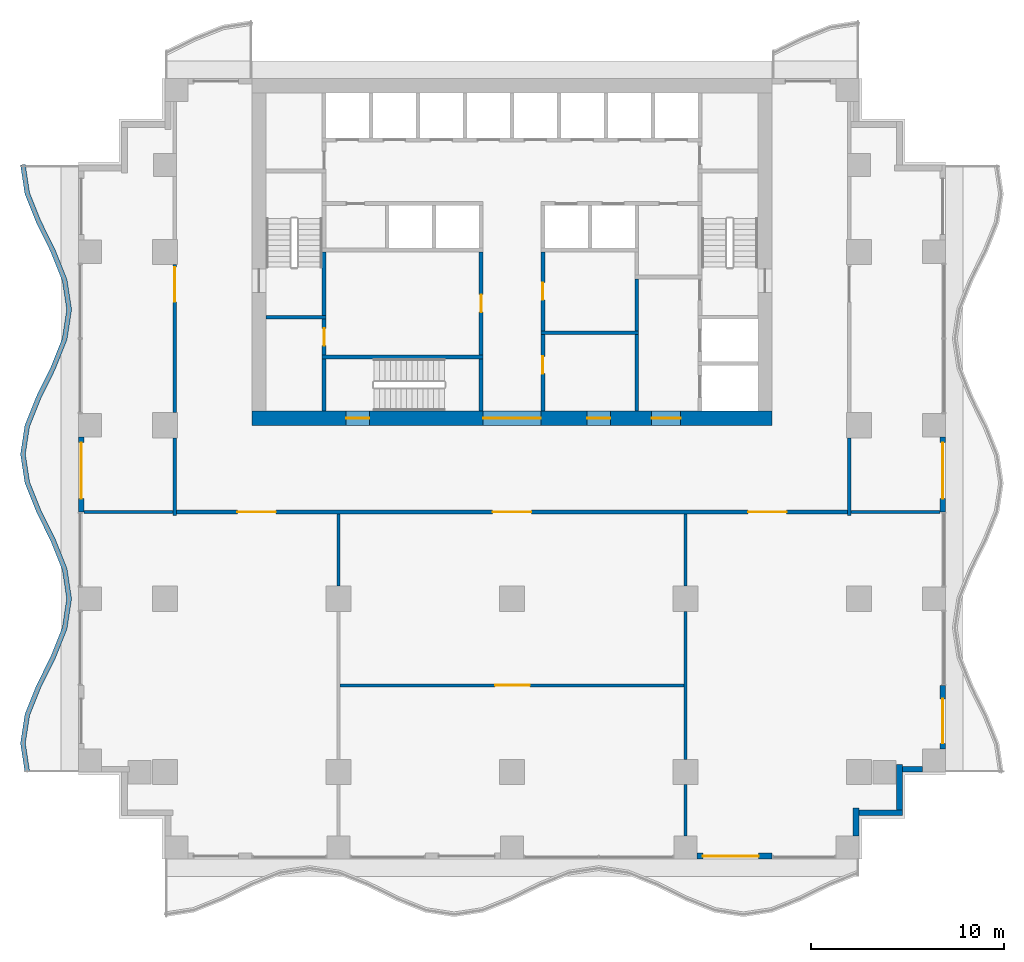
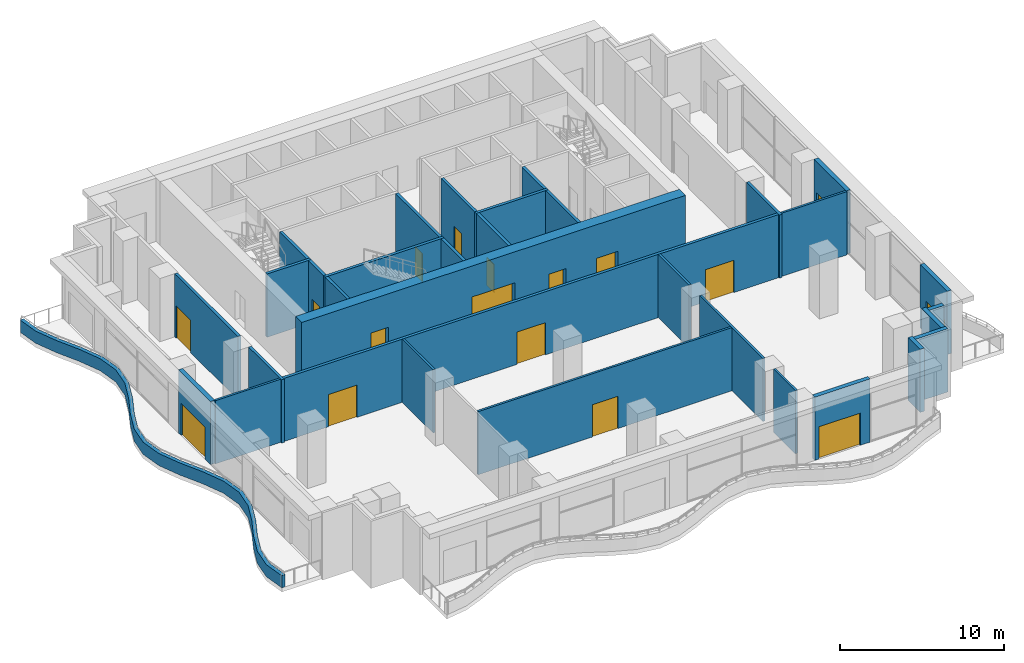
# One storey, part 8 of 14: 33 walls, 17 doors, 17 openings.
"""IFC4 building model written with IfcOpenShell, lengths in metres."""

import ifcopenshell
import ifcopenshell.guid

model = None  # the IFC model being written
_history = None  # IfcOwnerHistory: only IFC2X3 demands one
_inside = {}  # id of a spatial element -> (the spatial element, [elements in it])
_under = {}  # id of a project, library or spatial element -> (it, [spatial elements below it])
_declared = {}  # id of a project -> (the project, [libraries it declares])
_typed = {}  # id of a type object -> (the type object, [elements of that type])
_made_of = {}  # id of a material, layer set ... -> (it, [elements and type objects made of it])


def new_model(schema):
    """Start an empty IFC model of exactly this schema.

    Asked for "IFC4X3", IfcOpenShell would pick the latest addendum, in which some entities
    have other attributes; the version numbers below select the first issue.
    IFC2X3 requires an IfcOwnerHistory on every rooted entity: one is made here for all.
    """
    global model, _history
    if schema == "IFC4X3":
        model = ifcopenshell.file(schema_version=(4, 3, 0, 0))
    else:
        model = ifcopenshell.file(schema=schema)
    _inside.clear()
    _under.clear()
    _declared.clear()
    _typed.clear()
    _made_of.clear()
    _history = None
    if model.schema == "IFC2X3":
        org = make("IfcOrganization", Name="unknown")
        user = make(
            "IfcPersonAndOrganization",
            ThePerson=make("IfcPerson", FamilyName="unknown"),
            TheOrganization=org,
        )
        app = make(
            "IfcApplication",
            ApplicationDeveloper=org,
            Version="unknown",
            ApplicationFullName="unknown",
            ApplicationIdentifier="unknown",
        )
        _history = make(
            "IfcOwnerHistory",
            OwningUser=user,
            OwningApplication=app,
            ChangeAction="ADDED",
            CreationDate=0,
        )
    return model


def make(cls, **values):
    """One entity of the class cls with the attributes given. An attribute that is None is left unset."""
    return model.create_entity(
        cls, **{name: value for name, value in values.items() if value is not None}
    )


def rooted(cls, **values):
    """An entity with a GlobalId (a new one), such as an element, a storey or a relation."""
    return make(cls, GlobalId=ifcopenshell.guid.new(), OwnerHistory=_history, **values)


def si_unit(unit_type, name, prefix=None):
    """IfcSIUnit, for example si_unit("LENGTHUNIT", "METRE", prefix="MILLI")."""
    return make("IfcSIUnit", UnitType=unit_type, Prefix=prefix, Name=name)


def assignment(units):
    """IfcUnitAssignment: the units of a project."""
    return None if units is None else make("IfcUnitAssignment", Units=units)


def point(xyz):
    """IfcCartesianPoint."""
    return None if xyz is None else make("IfcCartesianPoint", Coordinates=xyz)


def direction(xyz):
    """IfcDirection."""
    return None if xyz is None else make("IfcDirection", DirectionRatios=xyz)


def frame(location, z_axis=None, x_axis=None):
    """IfcAxis2Placement3D, a coordinate frame: its origin and axes. An axis left out is left unset."""
    return make(
        "IfcAxis2Placement3D",
        Location=point(location),
        Axis=direction(z_axis),
        RefDirection=direction(x_axis),
    )


def frame_2d(location, x_axis=None):
    """IfcAxis2Placement2D, a coordinate frame in the plane: its origin and x axis."""
    return make(
        "IfcAxis2Placement2D", Location=point(location), RefDirection=direction(x_axis)
    )


def origin():
    """The frame at (0, 0, 0) with its axes left unset."""
    return frame((0.0, 0.0, 0.0))


def place(relative_to, where):
    """IfcLocalPlacement: puts the frame where relative to a parent placement (None: the world)."""
    return make(
        "IfcLocalPlacement", PlacementRelTo=relative_to, RelativePlacement=where
    )


def context(
    kind, dimensions, precision=None, world=None, true_north=None, identifier=None
):
    """IfcGeometricRepresentationContext, for example the 3D "Model" context."""
    return make(
        "IfcGeometricRepresentationContext",
        ContextIdentifier=identifier,
        ContextType=kind,
        CoordinateSpaceDimension=dimensions,
        Precision=precision,
        WorldCoordinateSystem=world,
        TrueNorth=true_north,
    )


def subcontext(parent, identifier, kind, view, scale=None):
    """IfcGeometricRepresentationSubContext, for example "Body" below "Model"."""
    return make(
        "IfcGeometricRepresentationSubContext",
        ContextIdentifier=identifier,
        ContextType=kind,
        ParentContext=parent,
        TargetScale=scale,
        TargetView=view,
    )


def project(units=None, contexts=None):
    """IfcProject with its units and contexts."""
    return rooted(
        "IfcProject",
        Name="project",
        RepresentationContexts=contexts,
        UnitsInContext=assignment(units),
    )


def spatial(cls, under=None, at=None, **own):
    """A site, building, storey or space (cls), placed at a placement, below another one or the project."""
    s = rooted(cls, ObjectPlacement=at, **own)
    if under is not None:
        _under.setdefault(under.id(), (under, []))[1].append(s)
    return s


def polyline(points):
    """IfcPolyline through the points."""
    return make("IfcPolyline", Points=[point(p) for p in points])


def profile(cls, at=None, kind="AREA", **sizes):
    """A parametric profile (cls). Its sizes go by their IFC names, for example OverallWidth=200.0."""
    return make(cls, ProfileType=kind, Position=at, **sizes)


def rectangle(**sizes):
    """IfcRectangleProfileDef."""
    return profile("IfcRectangleProfileDef", **sizes)


def outline(outer, holes=None, kind="AREA"):
    """IfcArbitraryClosedProfileDef: a profile drawn as a closed curve; with holes, ...WithVoids."""
    if holes is None:
        return make("IfcArbitraryClosedProfileDef", ProfileType=kind, OuterCurve=outer)
    return make(
        "IfcArbitraryProfileDefWithVoids",
        ProfileType=kind,
        OuterCurve=outer,
        InnerCurves=holes,
    )


def extrude(swept, where, along, depth):
    """IfcExtrudedAreaSolid: the profile swept, set in the frame where, extruded along a direction by depth."""
    return make(
        "IfcExtrudedAreaSolid",
        SweptArea=swept,
        Position=where,
        ExtrudedDirection=direction(along),
        Depth=depth,
    )


def shape(context_of_items, identifier, shape_type, items):
    """IfcShapeRepresentation: the items that make up one representation, for example the "Body"."""
    return make(
        "IfcShapeRepresentation",
        ContextOfItems=context_of_items,
        RepresentationIdentifier=identifier,
        RepresentationType=shape_type,
        Items=items,
    )


def material(Name=None, Category=None):
    """IfcMaterial."""
    return make("IfcMaterial", Name=Name, Category=Category)


def layer(
    of_material, thickness, ventilated=None, Name=None, Category=None, Priority=None
):
    """IfcMaterialLayer: one layer of a wall or slab, of a material (None: an air gap)."""
    return make(
        "IfcMaterialLayer",
        Material=of_material,
        LayerThickness=thickness,
        IsVentilated=ventilated,
        Name=Name,
        Category=Category,
        Priority=Priority,
    )


def layer_set(layers, Name=None):
    """IfcMaterialLayerSet."""
    return make("IfcMaterialLayerSet", MaterialLayers=layers, LayerSetName=Name)


def made_of(thing, what):
    """Note that an element or type object is made of a material, layer set ...; save() writes the relation."""
    if what is not None:
        _made_of.setdefault(what.id(), (what, []))[1].append(thing)
    return thing


def type_object(cls, material=None, **own):
    """A type object (cls), such as IfcWallType, which elements share."""
    return made_of(rooted(cls, **own), material)


def element(
    cls,
    number,
    at=None,
    inside=None,
    cuts=None,
    type_object=None,
    material=None,
    context=None,
    identifier="Body",
    shape_type=None,
    held_by="IfcProductDefinitionShape",
    body=None,
    shapes=None,
    **own,
):
    """One element of the class cls, such as IfcWall. Its Tag is "e" and its number.

    at: its placement. inside: the storey or other place that contains it. cuts: it is an
    opening in that element (IfcRelVoidsElement). A single representation is given by context,
    identifier, shape_type and body (its items); several are given by shapes. held_by: the class
    of the entity that holds the representations. save() writes the other relations.
    """
    e = rooted(cls, Tag="e%d" % number, ObjectPlacement=at, **own)
    if body is not None:
        shapes = [shape(context, identifier, shape_type, body)]
    if shapes is not None:
        e.Representation = make(held_by, Representations=shapes)
    if inside is not None:
        _inside.setdefault(inside.id(), (inside, []))[1].append(e)
    if cuts is not None:
        rooted(
            "IfcRelVoidsElement", RelatingBuildingElement=cuts, RelatedOpeningElement=e
        )
    if type_object is not None:
        _typed.setdefault(type_object.id(), (type_object, []))[1].append(e)
    return made_of(e, material)


def fill(opening, filler):
    """IfcRelFillsElement: the door or window that sits in an opening."""
    return rooted(
        "IfcRelFillsElement",
        RelatingOpeningElement=opening,
        RelatedBuildingElement=filler,
    )


def aggregate(whole, parts):
    """IfcRelAggregates: a whole, such as a stair, and the parts it consists of."""
    return rooted("IfcRelAggregates", RelatingObject=whole, RelatedObjects=parts)


def save(model, path):
    """Write the relations noted so far, then the file.

    IfcRelAggregates (storeys below a building ...), IfcRelContainedInSpatialStructure (elements
    in a storey), IfcRelDefinesByType, IfcRelAssociatesMaterial and IfcRelDeclares: one each for
    every whole, place, type object, material and project.
    """
    for whole, parts in _under.values():
        aggregate(whole, parts)
    for where, things in _inside.values():
        rooted(
            "IfcRelContainedInSpatialStructure",
            RelatedElements=things,
            RelatingStructure=where,
        )
    for kind, things in _typed.values():
        rooted("IfcRelDefinesByType", RelatedObjects=things, RelatingType=kind)
    for what, things in _made_of.values():
        rooted("IfcRelAssociatesMaterial", RelatedObjects=things, RelatingMaterial=what)
    for by, libraries in _declared.values():
        rooted("IfcRelDeclares", RelatingContext=by, RelatedDefinitions=libraries)
    model.write(path)


model = new_model("IFC4")

# Units and contexts
model_context = context("Model", 3, precision=1e-05, world=origin(), true_north=direction((0.0, 1.0)))
body_context = subcontext(model_context, "Body", "Model", "MODEL_VIEW")
ifc_project = project(units=[si_unit("LENGTHUNIT", "METRE"), si_unit("AREAUNIT", "SQUARE_METRE"), si_unit("VOLUMEUNIT", "CUBIC_METRE"), si_unit("PLANEANGLEUNIT", "RADIAN"), si_unit("MASSUNIT", "GRAM", prefix="KILO")], contexts=[model_context])

# Site, building, storey
site_placement = place(None, origin())
site = spatial("IfcSite", under=ifc_project, at=site_placement, CompositionType="ELEMENT")
building_placement = place(site_placement, origin())
building = spatial("IfcBuilding", under=site, at=building_placement, Name="Orbiselva Terraces", CompositionType="ELEMENT")
storey_placement = place(building_placement, frame((0.0, 0.0, 120.0)))
storey = spatial("IfcBuildingStorey", under=building, at=storey_placement, Name="L30", CompositionType="ELEMENT", Elevation=120.0)

# Wall, openings, doors
ifc_material_1 = material(Name="Concrete C80/95", Category="concrete")
ifc_layer_1 = layer(ifc_material_1, 0.75)
ifc_layer_set_1 = layer_set([ifc_layer_1], Name="Concrete C80/95")
wall_type_1 = type_object("IfcWallType", Name="CORE WALL 750", PredefinedType="SHEAR", material=ifc_layer_set_1)
wall_1_placement = place(storey_placement, frame((-13.5, 4.875, -0.3), z_axis=(0.0, 0.0, 1.0), x_axis=(1.0, 0.0, 0.0)))
wall_1 = element("IfcWall", 1, at=wall_1_placement, inside=storey, type_object=wall_type_1, Name="Core wall L30 south", PredefinedType="SHEAR", context=body_context, shape_type="SweptSolid", body=[
    extrude(rectangle(XDim=27.0, YDim=0.75, at=frame_2d((13.5, 0.0))), origin(), (0.0, 0.0, 1.0), 5.0),
])
opening_1_placement = place(wall_1_placement, frame((12.0, 0.0, 0.3)))
opening_1 = element("IfcOpeningElement", 2, at=opening_1_placement, cuts=wall_1, Name="Opening DL3000", PredefinedType="OPENING", context=body_context, shape_type="SweptSolid", body=[
    extrude(rectangle(XDim=3.0, YDim=2.4, at=frame_2d((1.5, 1.2))), frame((0.0, 0.385, 0.0), z_axis=(0.0, -1.0, 0.0), x_axis=(1.0, 0.0, 0.0)), (0.0, 0.0, 1.0), 0.77),
])
opening_2_placement = place(wall_1_placement, frame((4.9, 0.0, 0.3)))
opening_2 = element("IfcOpeningElement", 3, at=opening_2_placement, cuts=wall_1, Name="Opening DS1200", PredefinedType="OPENING", context=body_context, shape_type="SweptSolid", body=[
    extrude(rectangle(XDim=1.2, YDim=2.2, at=frame_2d((0.6, 1.1))), frame((0.0, 0.385, 0.0), z_axis=(0.0, -1.0, 0.0), x_axis=(1.0, 0.0, 0.0)), (0.0, 0.0, 1.0), 0.77),
])
opening_3_placement = place(wall_1_placement, frame((20.75, 0.0, 0.3)))
opening_3 = element("IfcOpeningElement", 4, at=opening_3_placement, cuts=wall_1, Name="Opening DF1500", PredefinedType="OPENING", context=body_context, shape_type="SweptSolid", body=[
    extrude(rectangle(XDim=1.5, YDim=2.2, at=frame_2d((0.75, 1.1))), frame((0.0, 0.385, 0.0), z_axis=(0.0, -1.0, 0.0), x_axis=(1.0, 0.0, 0.0)), (0.0, 0.0, 1.0), 0.77),
])
opening_4_placement = place(wall_1_placement, frame((17.4, 0.0, 0.3)))
opening_4 = element("IfcOpeningElement", 5, at=opening_4_placement, cuts=wall_1, Name="Opening DV1200", PredefinedType="OPENING", context=body_context, shape_type="SweptSolid", body=[
    extrude(rectangle(XDim=1.2, YDim=2.2, at=frame_2d((0.6, 1.1))), frame((0.0, 0.385, 0.0), z_axis=(0.0, -1.0, 0.0), x_axis=(1.0, 0.0, 0.0)), (0.0, 0.0, 1.0), 0.77),
])
ifc_material_2 = material(Name="Steel fire door", Category="steel")
door_type_1 = type_object("IfcDoorType", Name="FFL DOOR 1500", OperationType="DOUBLE_DOOR_SINGLE_SWING", PredefinedType="DOOR", material=ifc_material_2)
door_1_placement = place(opening_3_placement, frame((1.5, 0.0, 0.0), z_axis=(0.0, 0.0, 1.0), x_axis=(-1.0, 0.0, 0.0)))
door_1 = element("IfcDoor", 6, at=door_1_placement, inside=storey, type_object=door_type_1, Name="L30 FIRE-FIGHTING LOBBY door", OperationType="DOUBLE_DOOR_SINGLE_SWING", OverallHeight=2.2, OverallWidth=1.5, PredefinedType="DOOR", context=body_context, shape_type="SweptSolid", body=[
    extrude(rectangle(XDim=1.5, YDim=2.2, at=frame_2d((0.75, 1.1))), frame((0.0, 0.025, 0.0), z_axis=(0.0, -1.0, 0.0), x_axis=(1.0, 0.0, 0.0)), (0.0, 0.0, 1.0), 0.05),
])
fill(opening_3, door_1)
door_type_2 = type_object("IfcDoorType", Name="LOBBY DOOR 3000", OperationType="DOUBLE_DOOR_SINGLE_SWING", PredefinedType="DOOR", material=ifc_material_2)
door_2_placement = place(opening_1_placement, frame((3.0, 0.0, 0.0), z_axis=(0.0, 0.0, 1.0), x_axis=(-1.0, 0.0, 0.0)))
door_2 = element("IfcDoor", 7, at=door_2_placement, inside=storey, type_object=door_type_2, Name="L30 LIFT LOBBY door", OperationType="DOUBLE_DOOR_SINGLE_SWING", OverallHeight=2.4, OverallWidth=3.0, PredefinedType="DOOR", context=body_context, shape_type="SweptSolid", body=[
    extrude(rectangle(XDim=3.0, YDim=2.4, at=frame_2d((1.5, 1.2))), frame((0.0, 0.025, 0.0), z_axis=(0.0, -1.0, 0.0), x_axis=(1.0, 0.0, 0.0)), (0.0, 0.0, 1.0), 0.05),
])
fill(opening_1, door_2)
door_type_3 = type_object("IfcDoorType", Name="SERVICE DOOR 1200", OperationType="NOTDEFINED", PredefinedType="DOOR", material=ifc_material_2)
door_3_placement = place(opening_4_placement, frame((1.2, 0.0, 0.0), z_axis=(0.0, 0.0, 1.0), x_axis=(-1.0, 0.0, 0.0)))
door_3 = element("IfcDoor", 8, at=door_3_placement, inside=storey, type_object=door_type_3, Name="L30 ELECTRICAL ROOM door", OperationType="SINGLE_SWING_RIGHT", OverallHeight=2.2, OverallWidth=1.2, PredefinedType="DOOR", context=body_context, shape_type="SweptSolid", body=[
    extrude(rectangle(XDim=1.2, YDim=2.2, at=frame_2d((0.6, 1.1))), frame((0.0, 0.025, 0.0), z_axis=(0.0, -1.0, 0.0), x_axis=(1.0, 0.0, 0.0)), (0.0, 0.0, 1.0), 0.05),
])
fill(opening_4, door_3)
door_type_4 = type_object("IfcDoorType", Name="STAIR DOOR 1200", OperationType="NOTDEFINED", PredefinedType="DOOR", material=ifc_material_2)
door_4_placement = place(opening_2_placement, frame((1.2, 0.0, 0.0), z_axis=(0.0, 0.0, 1.0), x_axis=(-1.0, 0.0, 0.0)))
door_4 = element("IfcDoor", 9, at=door_4_placement, inside=storey, type_object=door_type_4, Name="L30 EXIT STAIR S3 door", OperationType="SINGLE_SWING_LEFT", OverallHeight=2.2, OverallWidth=1.2, PredefinedType="DOOR", context=body_context, shape_type="SweptSolid", body=[
    extrude(rectangle(XDim=1.2, YDim=2.2, at=frame_2d((0.6, 1.1))), frame((0.0, 0.025, 0.0), z_axis=(0.0, -1.0, 0.0), x_axis=(1.0, 0.0, 0.0)), (0.0, 0.0, 1.0), 0.05),
])
fill(opening_2, door_4)

# Wall, opening, door
ifc_material_3 = material(Name="Masonry blockwork", Category="masonry")
ifc_layer_2 = layer(ifc_material_3, 0.2)
ifc_layer_set_2 = layer_set([ifc_layer_2], Name="Masonry blockwork")
wall_type_2 = type_object("IfcWallType", Name="CORE-WALL-PARTITION-200", PredefinedType="PARTITIONING", material=ifc_layer_set_2)
wall_2_placement = place(storey_placement, frame((-9.75, 8.15, 0.0), z_axis=(0.0, 0.0, 1.0), x_axis=(0.0, 1.0, 0.0)))
wall_2 = element("IfcWall", 10, at=wall_2_placement, inside=storey, type_object=wall_type_2, Name="L30 core wall 05", PredefinedType="PARTITIONING", context=body_context, shape_type="SweptSolid", body=[
    extrude(rectangle(XDim=1.85, YDim=0.2, at=frame_2d((0.925, 0.0))), origin(), (0.0, 0.0, 1.0), 4.7),
])
opening_5_placement = place(wall_2_placement, frame((0.475, 0.0, 0.0)))
opening_5 = element("IfcOpeningElement", 11, at=opening_5_placement, cuts=wall_2, Name="Opening DR900", PredefinedType="OPENING", context=body_context, shape_type="SweptSolid", body=[
    extrude(rectangle(XDim=0.9, YDim=2.1, at=frame_2d((0.45, 1.05))), frame((0.0, 0.11, 0.0), z_axis=(0.0, -1.0, 0.0), x_axis=(1.0, 0.0, 0.0)), (0.0, 0.0, 1.0), 0.22),
])
door_type_5 = type_object("IfcDoorType", Name="ROOM DOOR 900", OperationType="NOTDEFINED", PredefinedType="DOOR", material=ifc_material_2)
door_5_placement = place(opening_5_placement, origin())
door_5 = element("IfcDoor", 12, at=door_5_placement, inside=storey, type_object=door_type_5, Name="L30 ACCESSIBLE WC door", OperationType="SINGLE_SWING_RIGHT", OverallHeight=2.1, OverallWidth=0.9, PredefinedType="DOOR", context=body_context, shape_type="SweptSolid", body=[
    extrude(rectangle(XDim=0.9, YDim=2.1, at=frame_2d((0.45, 1.05))), frame((0.0, 0.025, 0.0), z_axis=(0.0, -1.0, 0.0), x_axis=(1.0, 0.0, 0.0)), (0.0, 0.0, 1.0), 0.05),
])
fill(opening_5, door_5)

# Walls
ifc_material_4 = material(Name="Concrete C60/75", Category="concrete")
ifc_layer_3 = layer(ifc_material_4, 0.2)
ifc_layer_set_3 = layer_set([ifc_layer_3], Name="Concrete C60/75")
wall_type_3 = type_object("IfcWallType", Name="CORE-WALL-SHEAR-200", PredefinedType="SHEAR", material=ifc_layer_set_3)
wall_3_placement = place(storey_placement, frame((-12.75, 10.1, 0.0), z_axis=(0.0, 0.0, 1.0), x_axis=(1.0, 0.0, 0.0)))
element("IfcWall", 13, at=wall_3_placement, inside=storey, type_object=wall_type_3, Name="L30 core wall 01", PredefinedType="SHEAR", context=body_context, shape_type="SweptSolid", body=[
    extrude(rectangle(XDim=3.1, YDim=0.2, at=frame_2d((1.55, 0.0))), origin(), (0.0, 0.0, 1.0), 4.7),
])
wall_4_placement = place(storey_placement, frame((-9.75, 5.25, 0.0), z_axis=(0.0, 0.0, 1.0), x_axis=(0.0, 1.0, 0.0)))
element("IfcWall", 14, at=wall_4_placement, inside=storey, type_object=wall_type_3, Name="L30 core wall 03", PredefinedType="SHEAR", context=body_context, shape_type="SweptSolid", body=[
    extrude(rectangle(XDim=2.7, YDim=0.2, at=frame_2d((1.35, 0.0))), origin(), (0.0, 0.0, 1.0), 4.7),
])
wall_5_placement = place(storey_placement, frame((-9.85, 8.05, 0.0), z_axis=(0.0, 0.0, 1.0), x_axis=(1.0, 0.0, 0.0)))
element("IfcWall", 15, at=wall_5_placement, inside=storey, type_object=wall_type_3, Name="L30 core wall 04", PredefinedType="SHEAR", context=body_context, shape_type="SweptSolid", body=[
    extrude(rectangle(XDim=8.35, YDim=0.2, at=frame_2d((4.175, 0.0))), origin(), (0.0, 0.0, 1.0), 4.7),
])
wall_6_placement = place(storey_placement, frame((-9.75, 10.2, 0.0), z_axis=(0.0, 0.0, 1.0), x_axis=(0.0, 1.0, 0.0)))
element("IfcWall", 16, at=wall_6_placement, inside=storey, type_object=wall_type_3, Name="L30 core wall 06", PredefinedType="SHEAR", context=body_context, shape_type="SweptSolid", body=[
    extrude(rectangle(XDim=3.3, YDim=0.2, at=frame_2d((1.65, 0.0))), origin(), (0.0, 0.0, 1.0), 4.7),
])
wall_7_placement = place(storey_placement, frame((-1.6, 5.25, 0.0), z_axis=(0.0, 0.0, 1.0), x_axis=(0.0, 1.0, 0.0)))
element("IfcWall", 17, at=wall_7_placement, inside=storey, type_object=wall_type_3, Name="L30 core wall 19", PredefinedType="SHEAR", context=body_context, shape_type="SweptSolid", body=[
    extrude(rectangle(XDim=2.7, YDim=0.2, at=frame_2d((1.35, 0.0))), origin(), (0.0, 0.0, 1.0), 4.7),
])

# Wall, opening, door
wall_8_placement = place(storey_placement, frame((-1.6, 8.15, 0.0), z_axis=(0.0, 0.0, 1.0), x_axis=(0.0, 1.0, 0.0)))
wall_8 = element("IfcWall", 18, at=wall_8_placement, inside=storey, type_object=wall_type_3, Name="L30 core wall 20", PredefinedType="SHEAR", context=body_context, shape_type="SweptSolid", body=[
    extrude(rectangle(XDim=5.35, YDim=0.2, at=frame_2d((2.675, 0.0))), origin(), (0.0, 0.0, 1.0), 4.7),
])
opening_6_placement = place(wall_8_placement, frame((2.225, 0.0, 0.0)))
opening_6 = element("IfcOpeningElement", 19, at=opening_6_placement, cuts=wall_8, Name="Opening DR900", PredefinedType="OPENING", context=body_context, shape_type="SweptSolid", body=[
    extrude(rectangle(XDim=0.9, YDim=2.1, at=frame_2d((0.45, 1.05))), frame((0.0, 0.11, 0.0), z_axis=(0.0, -1.0, 0.0), x_axis=(1.0, 0.0, 0.0)), (0.0, 0.0, 1.0), 0.22),
])
door_6_placement = place(opening_6_placement, origin())
door_6 = element("IfcDoor", 20, at=door_6_placement, inside=storey, type_object=door_type_5, Name="L30 LINEN STORE door", OperationType="SINGLE_SWING_RIGHT", OverallHeight=2.1, OverallWidth=0.9, PredefinedType="DOOR", context=body_context, shape_type="SweptSolid", body=[
    extrude(rectangle(XDim=0.9, YDim=2.1, at=frame_2d((0.45, 1.05))), frame((0.0, 0.025, 0.0), z_axis=(0.0, -1.0, 0.0), x_axis=(1.0, 0.0, 0.0)), (0.0, 0.0, 1.0), 0.05),
])
fill(opening_6, door_6)

wall_9_placement = place(storey_placement, frame((1.6, 9.2, 0.0), z_axis=(0.0, 0.0, 1.0), x_axis=(0.0, -1.0, 0.0)))
wall_9 = element("IfcWall", 21, at=wall_9_placement, inside=storey, type_object=wall_type_3, Name="L30 core wall 23", PredefinedType="SHEAR", context=body_context, shape_type="SweptSolid", body=[
    extrude(rectangle(XDim=3.95, YDim=0.2, at=frame_2d((1.975, 0.0))), origin(), (0.0, 0.0, 1.0), 4.7),
])
opening_7_placement = place(wall_9_placement, frame((1.125, 0.0, 0.0)))
opening_7 = element("IfcOpeningElement", 22, at=opening_7_placement, cuts=wall_9, Name="Opening DR900", PredefinedType="OPENING", context=body_context, shape_type="SweptSolid", body=[
    extrude(rectangle(XDim=0.9, YDim=2.1, at=frame_2d((0.45, 1.05))), frame((0.0, 0.11, 0.0), z_axis=(0.0, -1.0, 0.0), x_axis=(1.0, 0.0, 0.0)), (0.0, 0.0, 1.0), 0.22),
])
door_7_placement = place(opening_7_placement, origin())
door_7 = element("IfcDoor", 23, at=door_7_placement, inside=storey, type_object=door_type_5, Name="L30 ELECTRICAL ROOM door", OperationType="SINGLE_SWING_LEFT", OverallHeight=2.1, OverallWidth=0.9, PredefinedType="DOOR", context=body_context, shape_type="SweptSolid", body=[
    extrude(rectangle(XDim=0.9, YDim=2.1, at=frame_2d((0.45, 1.05))), frame((0.0, 0.025, 0.0), z_axis=(0.0, -1.0, 0.0), x_axis=(1.0, 0.0, 0.0)), (0.0, 0.0, 1.0), 0.05),
])
fill(opening_7, door_7)

# Wall
wall_10_placement = place(storey_placement, frame((1.5, 9.3, 0.0), z_axis=(0.0, 0.0, 1.0), x_axis=(1.0, 0.0, 0.0)))
element("IfcWall", 24, at=wall_10_placement, inside=storey, type_object=wall_type_3, Name="L30 core wall 24", PredefinedType="SHEAR", context=body_context, shape_type="SweptSolid", body=[
    extrude(rectangle(XDim=5.075, YDim=0.2, at=frame_2d((2.5375, 0.0))), origin(), (0.0, 0.0, 1.0), 4.7),
])

# Wall, opening, door
wall_11_placement = place(storey_placement, frame((1.6, 13.5, 0.0), z_axis=(0.0, 0.0, 1.0), x_axis=(0.0, -1.0, 0.0)))
wall_11 = element("IfcWall", 25, at=wall_11_placement, inside=storey, type_object=wall_type_3, Name="L30 core wall 25", PredefinedType="SHEAR", context=body_context, shape_type="SweptSolid", body=[
    extrude(rectangle(XDim=4.1, YDim=0.2, at=frame_2d((2.05, 0.0))), origin(), (0.0, 0.0, 1.0), 4.7),
])
opening_8_placement = place(wall_11_placement, frame((1.6, 0.0, 0.0)))
opening_8 = element("IfcOpeningElement", 26, at=opening_8_placement, cuts=wall_11, Name="Opening DR900", PredefinedType="OPENING", context=body_context, shape_type="SweptSolid", body=[
    extrude(rectangle(XDim=0.9, YDim=2.1, at=frame_2d((0.45, 1.05))), frame((0.0, 0.11, 0.0), z_axis=(0.0, -1.0, 0.0), x_axis=(1.0, 0.0, 0.0)), (0.0, 0.0, 1.0), 0.22),
])
door_8_placement = place(opening_8_placement, origin())
door_8 = element("IfcDoor", 27, at=door_8_placement, inside=storey, type_object=door_type_5, Name="L30 COMMS ROOM door", OperationType="SINGLE_SWING_RIGHT", OverallHeight=2.1, OverallWidth=0.9, PredefinedType="DOOR", context=body_context, shape_type="SweptSolid", body=[
    extrude(rectangle(XDim=0.9, YDim=2.1, at=frame_2d((0.45, 1.05))), frame((0.0, 0.025, 0.0), z_axis=(0.0, -1.0, 0.0), x_axis=(1.0, 0.0, 0.0)), (0.0, 0.0, 1.0), 0.05),
])
fill(opening_8, door_8)

# Walls
wall_12_placement = place(storey_placement, frame((6.475, 5.25, 0.0), z_axis=(0.0, 0.0, 1.0), x_axis=(0.0, 1.0, 0.0)))
element("IfcWall", 28, at=wall_12_placement, inside=storey, type_object=wall_type_3, Name="L30 core wall 32", PredefinedType="SHEAR", context=body_context, shape_type="SweptSolid", body=[
    extrude(rectangle(XDim=3.95, YDim=0.2, at=frame_2d((1.975, 0.0))), origin(), (0.0, 0.0, 1.0), 4.7),
])
wall_13_placement = place(storey_placement, frame((6.475, 9.4, 0.0), z_axis=(0.0, 0.0, 1.0), x_axis=(0.0, 1.0, 0.0)))
element("IfcWall", 29, at=wall_13_placement, inside=storey, type_object=wall_type_3, Name="L30 core wall 33", PredefinedType="SHEAR", context=body_context, shape_type="SweptSolid", body=[
    extrude(rectangle(XDim=2.7, YDim=0.2, at=frame_2d((1.35, 0.0))), origin(), (0.0, 0.0, 1.0), 4.7),
])
ifc_material_5 = material(Name="Concrete C40/50", Category="concrete")
ifc_layer_4 = layer(ifc_material_5, 0.25)
ifc_layer_set_4 = layer_set([ifc_layer_4], Name="Concrete C40/50")
wall_type_4 = type_object("IfcWallType", Name="ENV-PLANTER-250x900", PredefinedType="USERDEFINED", material=ifc_layer_set_4)
wall_14_placement = place(storey_placement, origin())
element("IfcWall", 30, at=wall_14_placement, inside=storey, type_object=wall_type_4, Name="Balcony planter L30 W", ObjectType="PLANTER", PredefinedType="USERDEFINED", context=body_context, shape_type="SweptSolid", body=[
    extrude(outline(polyline([(-25.5, 18.0), (-25.27082, 16.5), (-24.67082, 15.0), (-23.92918, 13.5), (-23.32918, 12.0), (-23.1, 10.5), (-23.32918, 9.0), (-23.92918, 7.5), (-24.67082, 6.0), (-25.27082, 4.5), (-25.5, 3.0), (-25.27082, 1.5), (-24.67082, 0.0), (-23.92918, -1.5), (-23.32918, -3.0), (-23.1, -4.5), (-23.32918, -6.0), (-23.92918, -7.5), (-24.67082, -9.0), (-25.27082, -10.5), (-25.5, -12.0), (-25.27082, -13.5), (-25.023688, -13.462242), (-25.247099, -12.0), (-25.028028, -10.566166), (-24.442355, -9.101983), (-23.700715, -7.601983), (-23.086388, -6.066166), (-22.847099, -4.5), (-23.086388, -2.933834), (-23.700715, -1.398017), (-24.442355, 0.101983), (-25.028028, 1.566166), (-25.247099, 3.0), (-25.028028, 4.433834), (-24.442355, 5.898017), (-23.700715, 7.398017), (-23.086388, 8.933834), (-22.847099, 10.5), (-23.086388, 12.066166), (-23.700715, 13.601983), (-24.442355, 15.101983), (-25.028028, 16.566166), (-25.252868, 18.037758), (-25.5, 18.0)])), origin(), (0.0, 0.0, 1.0), 0.9),
])

# Wall, opening, door
ifc_material_6 = material(Name="Terracotta cladding on masonry backing", Category="masonry")
ifc_layer_5 = layer(ifc_material_6, 0.3)
ifc_layer_set_5 = layer_set([ifc_layer_5], Name="Terracotta cladding on masonry backing")
wall_type_5 = type_object("IfcWallType", Name="ENV-WALL-TERRACOTTA-300", PredefinedType="SOLIDWALL", material=ifc_layer_set_5)
wall_15_placement = place(storey_placement, frame((13.5, -17.85, 0.0), z_axis=(0.0, 0.0, 1.0), x_axis=(-1.0, 0.0, 0.0)))
wall_15 = element("IfcWall", 31, at=wall_15_placement, inside=storey, type_object=wall_type_5, Name="Facade wall L30 S", PredefinedType="SOLIDWALL", context=body_context, shape_type="SweptSolid", body=[
    extrude(rectangle(XDim=3.9, YDim=0.3, at=frame_2d((1.95, 0.0))), origin(), (0.0, 0.0, 1.0), 4.7),
])
opening_9_placement = place(wall_15_placement, frame((0.7, 0.0, 0.0)))
opening_9 = element("IfcOpeningElement", 32, at=opening_9_placement, cuts=wall_15, Name="Opening SKY-2-E03", PredefinedType="OPENING", context=body_context, shape_type="SweptSolid", body=[
    extrude(rectangle(XDim=2.9, YDim=2.4, at=frame_2d((1.45, 1.2))), frame((0.0, 0.16, 0.0), z_axis=(0.0, -1.0, 0.0), x_axis=(1.0, 0.0, 0.0)), (0.0, 0.0, 1.0), 0.32),
])
ifc_material_7 = material(Name="Clear low-e glazing in aluminium frame", Category="aluminium")
door_type_6 = type_object("IfcDoorType", Name="BALCONY DOOR 2900 X 2400", OperationType="DOUBLE_DOOR_SLIDING", PredefinedType="DOOR", material=ifc_material_7)
door_9_placement = place(opening_9_placement, origin())
door_9 = element("IfcDoor", 33, at=door_9_placement, inside=storey, type_object=door_type_6, Name="SKY-2-E03", OperationType="SINGLE_SWING_LEFT", OverallHeight=2.4, OverallWidth=2.9, PredefinedType="DOOR", context=body_context, shape_type="SweptSolid", body=[
    extrude(rectangle(XDim=2.9, YDim=2.4, at=frame_2d((1.45, 1.2))), frame((0.0, 0.025, 0.0), z_axis=(0.0, -1.0, 0.0), x_axis=(1.0, 0.0, 0.0)), (0.0, 0.0, 1.0), 0.05),
])
fill(opening_9, door_9)

# Walls
wall_16_placement = place(storey_placement, frame((17.85, -15.35, 0.0), z_axis=(0.0, 0.0, 1.0), x_axis=(0.0, -1.0, 0.0)))
element("IfcWall", 34, at=wall_16_placement, inside=storey, type_object=wall_type_5, Name="Facade wall L30 STEP", PredefinedType="SOLIDWALL", context=body_context, shape_type="SweptSolid", body=[
    extrude(rectangle(XDim=1.45, YDim=0.3, at=frame_2d((0.725, 0.0))), origin(), (0.0, 0.0, 1.0), 4.7),
])
wall_17_placement = place(storey_placement, frame((20.25, -15.6, 0.0), z_axis=(0.0, 0.0, 1.0), x_axis=(-1.0, 0.0, 0.0)))
element("IfcWall", 35, at=wall_17_placement, inside=storey, type_object=wall_type_5, Name="Facade wall L30 STEP", PredefinedType="SOLIDWALL", context=body_context, shape_type="SweptSolid", body=[
    extrude(rectangle(XDim=2.25, YDim=0.3, at=frame_2d((1.125, 0.0))), origin(), (0.0, 0.0, 1.0), 4.7),
])
wall_18_placement = place(storey_placement, frame((20.1, -13.1, 0.0), z_axis=(0.0, 0.0, 1.0), x_axis=(0.0, -1.0, 0.0)))
element("IfcWall", 36, at=wall_18_placement, inside=storey, type_object=wall_type_5, Name="Facade wall L30 STEP", PredefinedType="SOLIDWALL", context=body_context, shape_type="SweptSolid", body=[
    extrude(rectangle(XDim=2.35, YDim=0.3, at=frame_2d((1.175, 0.0))), origin(), (0.0, 0.0, 1.0), 4.7),
])
wall_19_placement = place(storey_placement, frame((21.3, -13.35, 0.0), z_axis=(0.0, 0.0, 1.0), x_axis=(-1.0, 0.0, 0.0)))
element("IfcWall", 37, at=wall_19_placement, inside=storey, type_object=wall_type_5, Name="Facade wall L30 STEP", PredefinedType="SOLIDWALL", context=body_context, shape_type="SweptSolid", body=[
    extrude(rectangle(XDim=1.05, YDim=0.3, at=frame_2d((0.525, 0.0))), origin(), (0.0, 0.0, 1.0), 4.7),
])

# Wall, opening, door
wall_20_placement = place(storey_placement, frame((22.35, -9.0, 0.0), z_axis=(0.0, 0.0, 1.0), x_axis=(0.0, -1.0, 0.0)))
wall_20 = element("IfcWall", 38, at=wall_20_placement, inside=storey, type_object=wall_type_5, Name="Facade wall L30 E", PredefinedType="SOLIDWALL", context=body_context, shape_type="SweptSolid", body=[
    extrude(rectangle(XDim=3.3, YDim=0.3, at=frame_2d((1.65, 0.0))), origin(), (0.0, 0.0, 1.0), 4.7),
])
opening_10_placement = place(wall_20_placement, frame((0.7, 0.0, 0.0)))
opening_10 = element("IfcOpeningElement", 39, at=opening_10_placement, cuts=wall_20, Name="Opening SKY-2-E04", PredefinedType="OPENING", context=body_context, shape_type="SweptSolid", body=[
    extrude(rectangle(XDim=2.3, YDim=2.4, at=frame_2d((1.15, 1.2))), frame((0.0, 0.16, 0.0), z_axis=(0.0, -1.0, 0.0), x_axis=(1.0, 0.0, 0.0)), (0.0, 0.0, 1.0), 0.32),
])
door_type_7 = type_object("IfcDoorType", Name="BALCONY DOOR 2300 X 2400", OperationType="DOUBLE_DOOR_SLIDING", PredefinedType="DOOR", material=ifc_material_7)
door_10_placement = place(opening_10_placement, origin())
door_10 = element("IfcDoor", 40, at=door_10_placement, inside=storey, type_object=door_type_7, Name="SKY-2-E04", OperationType="SINGLE_SWING_LEFT", OverallHeight=2.4, OverallWidth=2.3, PredefinedType="DOOR", context=body_context, shape_type="SweptSolid", body=[
    extrude(rectangle(XDim=2.3, YDim=2.4, at=frame_2d((1.15, 1.2))), frame((0.0, 0.025, 0.0), z_axis=(0.0, -1.0, 0.0), x_axis=(1.0, 0.0, 0.0)), (0.0, 0.0, 1.0), 0.05),
])
fill(opening_10, door_10)

wall_21_placement = place(storey_placement, frame((22.35, 3.9, 0.0), z_axis=(0.0, 0.0, 1.0), x_axis=(0.0, -1.0, 0.0)))
wall_21 = element("IfcWall", 41, at=wall_21_placement, inside=storey, type_object=wall_type_5, Name="Facade wall L30 E", PredefinedType="SOLIDWALL", context=body_context, shape_type="SweptSolid", body=[
    extrude(rectangle(XDim=3.9, YDim=0.3, at=frame_2d((1.95, 0.0))), origin(), (0.0, 0.0, 1.0), 4.7),
])
opening_11_placement = place(wall_21_placement, frame((0.3, 0.0, 0.0)))
opening_11 = element("IfcOpeningElement", 42, at=opening_11_placement, cuts=wall_21, Name="Opening SKY-2-E05", PredefinedType="OPENING", context=body_context, shape_type="SweptSolid", body=[
    extrude(rectangle(XDim=2.9, YDim=2.4, at=frame_2d((1.45, 1.2))), frame((0.0, 0.16, 0.0), z_axis=(0.0, -1.0, 0.0), x_axis=(1.0, 0.0, 0.0)), (0.0, 0.0, 1.0), 0.32),
])
door_11_placement = place(opening_11_placement, origin())
door_11 = element("IfcDoor", 43, at=door_11_placement, inside=storey, type_object=door_type_6, Name="SKY-2-E05", OperationType="SINGLE_SWING_LEFT", OverallHeight=2.4, OverallWidth=2.9, PredefinedType="DOOR", context=body_context, shape_type="SweptSolid", body=[
    extrude(rectangle(XDim=2.9, YDim=2.4, at=frame_2d((1.45, 1.2))), frame((0.0, 0.025, 0.0), z_axis=(0.0, -1.0, 0.0), x_axis=(1.0, 0.0, 0.0)), (0.0, 0.0, 1.0), 0.05),
])
fill(opening_11, door_11)

wall_22_placement = place(storey_placement, frame((-22.35, 0.0, 0.0), z_axis=(0.0, 0.0, 1.0), x_axis=(0.0, 1.0, 0.0)))
wall_22 = element("IfcWall", 44, at=wall_22_placement, inside=storey, type_object=wall_type_5, Name="Facade wall L30 W", PredefinedType="SOLIDWALL", context=body_context, shape_type="SweptSolid", body=[
    extrude(rectangle(XDim=3.9, YDim=0.3, at=frame_2d((1.95, 0.0))), origin(), (0.0, 0.0, 1.0), 4.7),
])
opening_12_placement = place(wall_22_placement, frame((0.7, 0.0, 0.0)))
opening_12 = element("IfcOpeningElement", 45, at=opening_12_placement, cuts=wall_22, Name="Opening SKY-2-E10", PredefinedType="OPENING", context=body_context, shape_type="SweptSolid", body=[
    extrude(rectangle(XDim=2.9, YDim=2.4, at=frame_2d((1.45, 1.2))), frame((0.0, 0.16, 0.0), z_axis=(0.0, -1.0, 0.0), x_axis=(1.0, 0.0, 0.0)), (0.0, 0.0, 1.0), 0.32),
])
door_12_placement = place(opening_12_placement, origin())
door_12 = element("IfcDoor", 46, at=door_12_placement, inside=storey, type_object=door_type_6, Name="SKY-2-E10", OperationType="SINGLE_SWING_LEFT", OverallHeight=2.4, OverallWidth=2.9, PredefinedType="DOOR", context=body_context, shape_type="SweptSolid", body=[
    extrude(rectangle(XDim=2.9, YDim=2.4, at=frame_2d((1.45, 1.2))), frame((0.0, 0.025, 0.0), z_axis=(0.0, -1.0, 0.0), x_axis=(1.0, 0.0, 0.0)), (0.0, 0.0, 1.0), 0.05),
])
fill(opening_12, door_12)

# Wall, openings, doors
ifc_material_8 = material(Name="Plasterboard on steel stud partition", Category="steel")
ifc_layer_6 = layer(ifc_material_8, 0.2)
ifc_layer_set_6 = layer_set([ifc_layer_6], Name="Plasterboard on steel stud partition")
wall_type_6 = type_object("IfcWallType", Name="UNIT-ENTRANCE-WALL-200", PredefinedType="PARTITIONING", material=ifc_layer_set_6)
wall_23_placement = place(storey_placement, frame((-17.4, 0.0, 0.0), z_axis=(0.0, 0.0, 1.0), x_axis=(1.0, 0.0, 0.0)))
wall_23 = element("IfcWall", 47, at=wall_23_placement, inside=storey, type_object=wall_type_6, Name="PARTITION L30-002", PredefinedType="PARTITIONING", context=body_context, shape_type="SweptSolid", body=[
    extrude(rectangle(XDim=34.8, YDim=0.2, at=frame_2d((17.4, 0.0))), origin(), (0.0, 0.0, 1.0), 4.7),
])
opening_13_placement = place(wall_23_placement, frame((3.15, 0.0, 0.0)))
opening_13 = element("IfcOpeningElement", 48, at=opening_13_placement, cuts=wall_23, Name="Opening SKY-2-01", PredefinedType="OPENING", context=body_context, shape_type="SweptSolid", body=[
    extrude(rectangle(XDim=2.0, YDim=2.4, at=frame_2d((1.0, 1.2))), frame((0.0, 0.11, 0.0), z_axis=(0.0, -1.0, 0.0), x_axis=(1.0, 0.0, 0.0)), (0.0, 0.0, 1.0), 0.22),
])
opening_14_placement = place(wall_23_placement, frame((16.4, 0.0, 0.0)))
opening_14 = element("IfcOpeningElement", 49, at=opening_14_placement, cuts=wall_23, Name="Opening SKY-2-02", PredefinedType="OPENING", context=body_context, shape_type="SweptSolid", body=[
    extrude(rectangle(XDim=2.0, YDim=2.4, at=frame_2d((1.0, 1.2))), frame((0.0, 0.11, 0.0), z_axis=(0.0, -1.0, 0.0), x_axis=(1.0, 0.0, 0.0)), (0.0, 0.0, 1.0), 0.22),
])
opening_15_placement = place(wall_23_placement, frame((29.65, 0.0, 0.0)))
opening_15 = element("IfcOpeningElement", 50, at=opening_15_placement, cuts=wall_23, Name="Opening SKY-2-03", PredefinedType="OPENING", context=body_context, shape_type="SweptSolid", body=[
    extrude(rectangle(XDim=2.0, YDim=2.4, at=frame_2d((1.0, 1.2))), frame((0.0, 0.11, 0.0), z_axis=(0.0, -1.0, 0.0), x_axis=(1.0, 0.0, 0.0)), (0.0, 0.0, 1.0), 0.22),
])
ifc_material_9 = material(Name="Painted timber door leaf", Category="wood")
door_type_8 = type_object("IfcDoorType", Name="AMENITY DOUBLE DOOR 2000", OperationType="NOTDEFINED", PredefinedType="DOOR", material=ifc_material_9)
door_13_placement = place(opening_13_placement, origin())
door_13 = element("IfcDoor", 51, at=door_13_placement, inside=storey, type_object=door_type_8, Name="SKY-2-01", OperationType="DOUBLE_DOOR_SINGLE_SWING", OverallHeight=2.4, OverallWidth=2.0, PredefinedType="DOOR", context=body_context, shape_type="SweptSolid", body=[
    extrude(rectangle(XDim=2.0, YDim=2.4, at=frame_2d((1.0, 1.2))), frame((0.0, 0.025, 0.0), z_axis=(0.0, -1.0, 0.0), x_axis=(1.0, 0.0, 0.0)), (0.0, 0.0, 1.0), 0.05),
])
fill(opening_13, door_13)
door_14_placement = place(opening_14_placement, origin())
door_14 = element("IfcDoor", 52, at=door_14_placement, inside=storey, type_object=door_type_8, Name="SKY-2-02", OperationType="DOUBLE_DOOR_SINGLE_SWING", OverallHeight=2.4, OverallWidth=2.0, PredefinedType="DOOR", context=body_context, shape_type="SweptSolid", body=[
    extrude(rectangle(XDim=2.0, YDim=2.4, at=frame_2d((1.0, 1.2))), frame((0.0, 0.025, 0.0), z_axis=(0.0, -1.0, 0.0), x_axis=(1.0, 0.0, 0.0)), (0.0, 0.0, 1.0), 0.05),
])
fill(opening_14, door_14)
door_15_placement = place(opening_15_placement, origin())
door_15 = element("IfcDoor", 53, at=door_15_placement, inside=storey, type_object=door_type_8, Name="SKY-2-03", OperationType="DOUBLE_DOOR_SINGLE_SWING", OverallHeight=2.4, OverallWidth=2.0, PredefinedType="DOOR", context=body_context, shape_type="SweptSolid", body=[
    extrude(rectangle(XDim=2.0, YDim=2.4, at=frame_2d((1.0, 1.2))), frame((0.0, 0.025, 0.0), z_axis=(0.0, -1.0, 0.0), x_axis=(1.0, 0.0, 0.0)), (0.0, 0.0, 1.0), 0.05),
])
fill(opening_15, door_15)

# Wall
wall_24_placement = place(storey_placement, frame((-17.5, -0.175, 0.0), z_axis=(0.0, 0.0, 1.0), x_axis=(0.0, 1.0, 0.0)))
element("IfcWall", 54, at=wall_24_placement, inside=storey, type_object=wall_type_6, Name="PARTITION L30-005", PredefinedType="PARTITIONING", context=body_context, shape_type="SweptSolid", body=[
    extrude(rectangle(XDim=4.025, YDim=0.2, at=frame_2d((2.0125, 0.0))), origin(), (0.0, 0.0, 1.0), 4.7),
])

# Wall, opening, door
wall_25_placement = place(storey_placement, frame((-17.5, 12.85, 0.0), z_axis=(0.0, 0.0, 1.0), x_axis=(0.0, -1.0, 0.0)))
wall_25 = element("IfcWall", 55, at=wall_25_placement, inside=storey, type_object=wall_type_6, Name="PARTITION L30-006", PredefinedType="PARTITIONING", context=body_context, shape_type="SweptSolid", body=[
    extrude(rectangle(XDim=7.7, YDim=0.2, at=frame_2d((3.85, 0.0))), origin(), (0.0, 0.0, 1.0), 4.7),
])
opening_16_placement = place(wall_25_placement, frame((0.15, 0.0, 0.0)))
opening_16 = element("IfcOpeningElement", 56, at=opening_16_placement, cuts=wall_25, Name="Opening SKY-2-04", PredefinedType="OPENING", context=body_context, shape_type="SweptSolid", body=[
    extrude(rectangle(XDim=1.8, YDim=2.4, at=frame_2d((0.9, 1.2))), frame((0.0, 0.11, 0.0), z_axis=(0.0, -1.0, 0.0), x_axis=(1.0, 0.0, 0.0)), (0.0, 0.0, 1.0), 0.22),
])
door_type_9 = type_object("IfcDoorType", Name="DOUBLE DOOR 1800", OperationType="NOTDEFINED", PredefinedType="DOOR", material=ifc_material_9)
door_16_placement = place(opening_16_placement, origin())
door_16 = element("IfcDoor", 57, at=door_16_placement, inside=storey, type_object=door_type_9, Name="SKY-2-04", OperationType="DOUBLE_DOOR_SINGLE_SWING", OverallHeight=2.4, OverallWidth=1.8, PredefinedType="DOOR", context=body_context, shape_type="SweptSolid", body=[
    extrude(rectangle(XDim=1.8, YDim=2.4, at=frame_2d((0.9, 1.2))), frame((0.0, 0.025, 0.0), z_axis=(0.0, -1.0, 0.0), x_axis=(1.0, 0.0, 0.0)), (0.0, 0.0, 1.0), 0.05),
])
fill(opening_16, door_16)

# Walls
wall_26_placement = place(storey_placement, frame((17.5, -0.175, 0.0), z_axis=(0.0, 0.0, 1.0), x_axis=(0.0, 1.0, 0.0)))
element("IfcWall", 58, at=wall_26_placement, inside=storey, type_object=wall_type_6, Name="PARTITION L30-015", PredefinedType="PARTITIONING", context=body_context, shape_type="SweptSolid", body=[
    extrude(rectangle(XDim=4.025, YDim=0.2, at=frame_2d((2.0125, 0.0))), origin(), (0.0, 0.0, 1.0), 4.7),
])
ifc_layer_7 = layer(ifc_material_8, 0.15)
ifc_layer_set_7 = layer_set([ifc_layer_7], Name="Plasterboard on steel stud partition")
wall_type_7 = type_object("IfcWallType", Name="UNIT-PARTITION-150", PredefinedType="PARTITIONING", material=ifc_layer_set_7)
for number, where, z_axis, x_axis, name in (
    (59, (-22.2, 0.0, 0.0), (0.0, 0.0, 1.0), (1.0, 0.0, 0.0), "PARTITION L30-003"),
    (60, (17.6, 0.0, 0.0), (0.0, 0.0, 1.0), (1.0, 0.0, 0.0), "PARTITION L30-004"),
):
    element("IfcWall", number, at=place(storey_placement, frame(where, z_axis=z_axis, x_axis=x_axis)), inside=storey, type_object=wall_type_7, Name=name, PredefinedType="PARTITIONING", context=body_context, shape_type="SweptSolid", body=[
        extrude(rectangle(XDim=4.6, YDim=0.15, at=frame_2d((2.3, 0.0))), origin(), (0.0, 0.0, 1.0), 4.7),
    ])
wall_27_placement = place(storey_placement, frame((-9.0, -3.85, 0.0), z_axis=(0.0, 0.0, 1.0), x_axis=(0.0, 1.0, 0.0)))
element("IfcWall", 61, at=wall_27_placement, inside=storey, type_object=wall_type_7, Name="PARTITION L30-011", PredefinedType="PARTITIONING", context=body_context, shape_type="SweptSolid", body=[
    extrude(rectangle(XDim=3.75, YDim=0.15, at=frame_2d((1.875, 0.0))), origin(), (0.0, 0.0, 1.0), 4.7),
])
wall_28_placement = place(storey_placement, frame((9.0, -16.8, 0.0), z_axis=(0.0, 0.0, 1.0), x_axis=(0.0, 1.0, 0.0)))
element("IfcWall", 62, at=wall_28_placement, inside=storey, type_object=wall_type_7, Name="PARTITION L30-012", PredefinedType="PARTITIONING", context=body_context, shape_type="SweptSolid", body=[
    extrude(rectangle(XDim=2.65, YDim=0.15, at=frame_2d((1.325, 0.0))), origin(), (0.0, 0.0, 1.0), 4.7),
])
wall_29_placement = place(storey_placement, frame((9.0, -12.85, 0.0), z_axis=(0.0, 0.0, 1.0), x_axis=(0.0, 1.0, 0.0)))
element("IfcWall", 63, at=wall_29_placement, inside=storey, type_object=wall_type_7, Name="PARTITION L30-013", PredefinedType="PARTITIONING", context=body_context, shape_type="SweptSolid", body=[
    extrude(rectangle(XDim=7.7, YDim=0.15, at=frame_2d((3.85, 0.0))), origin(), (0.0, 0.0, 1.0), 4.7),
])
wall_30_placement = place(storey_placement, frame((9.0, -3.85, 0.0), z_axis=(0.0, 0.0, 1.0), x_axis=(0.0, 1.0, 0.0)))
element("IfcWall", 64, at=wall_30_placement, inside=storey, type_object=wall_type_7, Name="PARTITION L30-014", PredefinedType="PARTITIONING", context=body_context, shape_type="SweptSolid", body=[
    extrude(rectangle(XDim=3.75, YDim=0.15, at=frame_2d((1.875, 0.0))), origin(), (0.0, 0.0, 1.0), 4.7),
])

# Wall, opening, door
ifc_layer_8 = layer(ifc_material_8, 0.15)
ifc_layer_set_8 = layer_set([ifc_layer_8], Name="Plasterboard on steel stud partition")
wall_type_8 = type_object("IfcWallType", Name="UNIT-PARTITION-FR-150", PredefinedType="PARTITIONING", material=ifc_layer_set_8)
wall_31_placement = place(storey_placement, frame((-8.925, -9.0, 0.0), z_axis=(0.0, 0.0, 1.0), x_axis=(1.0, 0.0, 0.0)))
wall_31 = element("IfcWall", 65, at=wall_31_placement, inside=storey, type_object=wall_type_8, Name="PARTITION L30-001", PredefinedType="PARTITIONING", context=body_context, shape_type="SweptSolid", body=[
    extrude(rectangle(XDim=17.85, YDim=0.15, at=frame_2d((8.925, 0.0))), origin(), (0.0, 0.0, 1.0), 4.7),
])
opening_17_placement = place(wall_31_placement, frame((8.05, 0.0, 0.0)))
opening_17 = element("IfcOpeningElement", 66, at=opening_17_placement, cuts=wall_31, Name="Opening SKY-2-06", PredefinedType="OPENING", context=body_context, shape_type="SweptSolid", body=[
    extrude(rectangle(XDim=1.8, YDim=2.4, at=frame_2d((0.9, 1.2))), frame((0.0, 0.085, 0.0), z_axis=(0.0, -1.0, 0.0), x_axis=(1.0, 0.0, 0.0)), (0.0, 0.0, 1.0), 0.17),
])
door_17_placement = place(opening_17_placement, origin())
door_17 = element("IfcDoor", 67, at=door_17_placement, inside=storey, type_object=door_type_9, Name="SKY-2-06", OperationType="DOUBLE_DOOR_SINGLE_SWING", OverallHeight=2.4, OverallWidth=1.8, PredefinedType="DOOR", context=body_context, shape_type="SweptSolid", body=[
    extrude(rectangle(XDim=1.8, YDim=2.4, at=frame_2d((0.9, 1.2))), frame((0.0, 0.025, 0.0), z_axis=(0.0, -1.0, 0.0), x_axis=(1.0, 0.0, 0.0)), (0.0, 0.0, 1.0), 0.05),
])
fill(opening_17, door_17)

save(model, "model.ifc")
